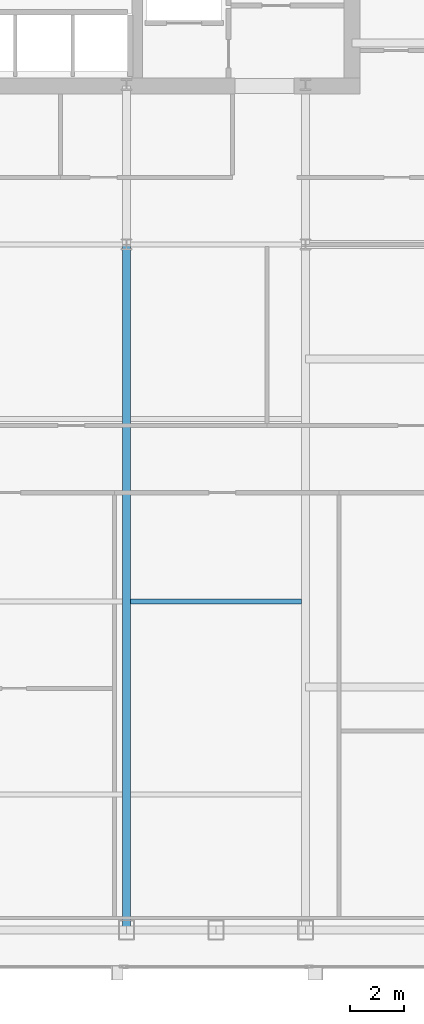
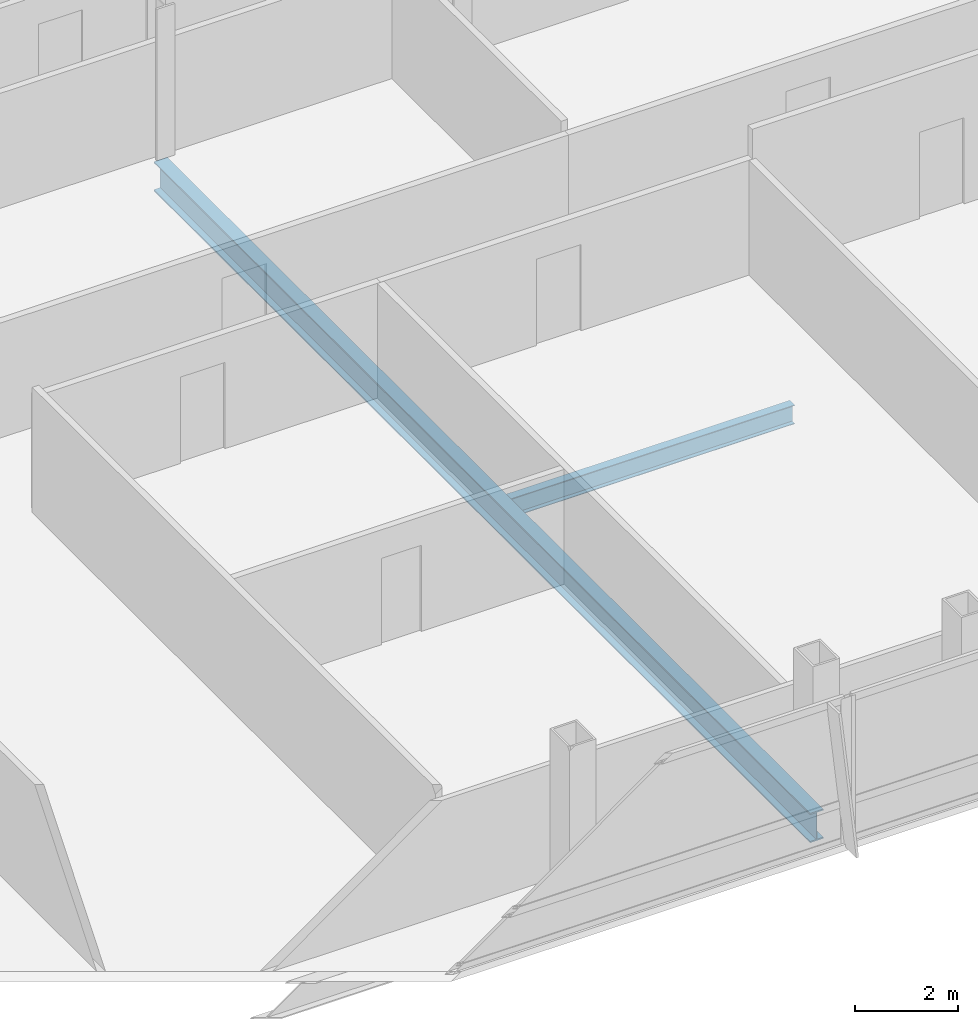
# One storey, part 13 of 30: 2 beams.
"""IFC4 building model written with IfcOpenShell, lengths in metres."""

from ifc_helpers import new_model, si_unit, direction, frame, origin, origin_2d, place, context, subcontext, project, spatial, i_section, extrude, material, material_profile, profile_set, type_object, element, save


model = new_model("IFC4")

# Units and contexts
model_context = context("Model", 3, precision=1e-05, world=origin(), true_north=direction((0.0, 1.0)))
body_context = subcontext(model_context, "Body", "Model", "MODEL_VIEW")
ifc_project = project(units=[si_unit("LENGTHUNIT", "METRE"), si_unit("AREAUNIT", "SQUARE_METRE"), si_unit("VOLUMEUNIT", "CUBIC_METRE"), si_unit("PLANEANGLEUNIT", "RADIAN"), si_unit("MASSUNIT", "GRAM", prefix="KILO")], contexts=[model_context])

# Site, building, storey
site_placement = place(None, origin())
site = spatial("IfcSite", under=ifc_project, at=site_placement, CompositionType="ELEMENT")
building_placement = place(site_placement, origin())
building = spatial("IfcBuilding", under=site, at=building_placement, Name="Khoronbel Lancet Exchange", CompositionType="ELEMENT")
storey_placement = place(building_placement, frame((0.0, 0.0, 203.0)))
storey = spatial("IfcBuildingStorey", under=building, at=storey_placement, Name="L51", CompositionType="ELEMENT", Elevation=203.0)

# Beams
ifc_material = material(Name="Steel S355", Category="steel")
ifc_material_profile_1 = material_profile(ifc_material, i_section(OverallWidth=0.300048828125, OverallDepth=0.699951171875, WebThickness=0.01708984375, FlangeThickness=0.031982421875, at=origin_2d()), Name="HEB 700")
ifc_profile_set_1 = profile_set([ifc_material_profile_1], Name="Steel S355")
beam_type_1 = type_object("IfcBeamType", Name="BM-BG3", PredefinedType="BEAM", material=ifc_profile_set_1)
beam_1_placement = place(storey_placement, frame((48.0, 10.14990234375, -0.510009765625), z_axis=(0.0, 1.0, 0.0), x_axis=(-1.0, 0.0, 0.0)))
element("IfcBeam", 1, at=beam_1_placement, inside=storey, type_object=beam_type_1, Name="Level L51 south primary girder GS5", PredefinedType="BEAM", context=body_context, shape_type="SweptSolid", body=[
    extrude(i_section(OverallWidth=0.300048828125, OverallDepth=0.699951171875, WebThickness=0.01708984375, FlangeThickness=0.031982421875, at=origin_2d()), origin(), (0.0, 0.0, 1.0), 25.550048828125),
])
ifc_material_profile_2 = material_profile(ifc_material, i_section(OverallWidth=0.18994140625, OverallDepth=0.449951171875, WebThickness=0.009521484375, FlangeThickness=0.0146484375, at=origin_2d()), Name="IPE 450")
ifc_profile_set_2 = profile_set([ifc_material_profile_2], Name="Steel S355")
beam_type_2 = type_object("IfcBeamType", Name="BM-BJ4", PredefinedType="JOIST", material=ifc_profile_set_2)
beam_2_placement = place(storey_placement, frame((48.14990234375, 22.39990234375, -0.385009765625), z_axis=(1.0, 0.0, 0.0), x_axis=(0.0, 1.0, 0.0)))
element("IfcBeam", 2, at=beam_2_placement, inside=storey, type_object=beam_type_2, Name="Level L51 secondary composite joist J10", PredefinedType="JOIST", context=body_context, shape_type="SweptSolid", body=[
    extrude(i_section(OverallWidth=0.18994140625, OverallDepth=0.449951171875, WebThickness=0.009521484375, FlangeThickness=0.0146484375, at=origin_2d()), origin(), (0.0, 0.0, 1.0), 6.375),
])

save(model, "model.ifc")
